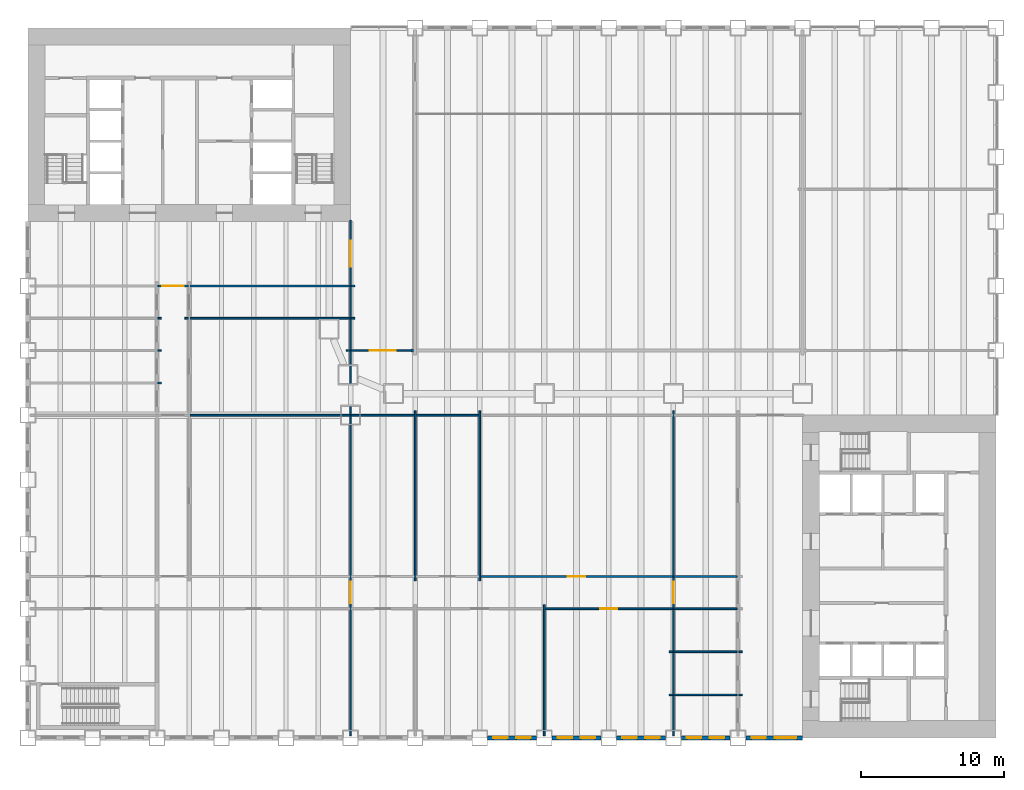
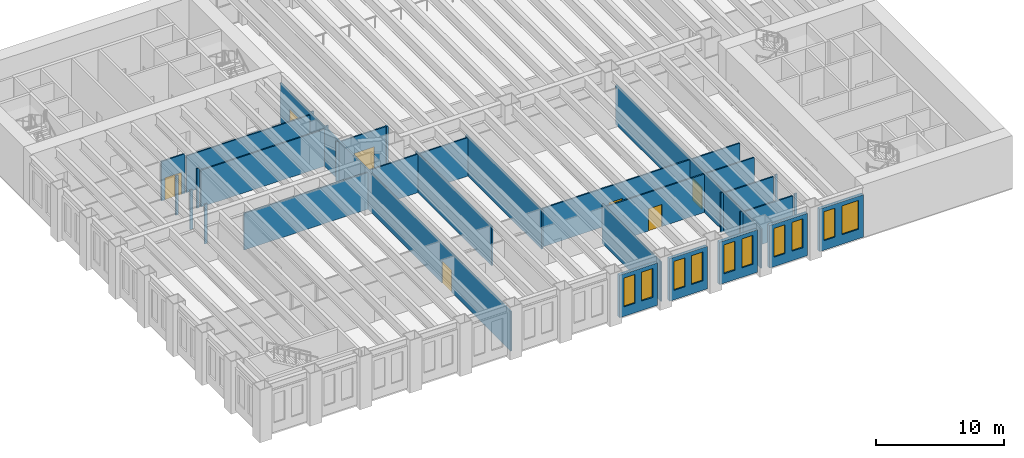
# One storey, part 9 of 19: 35 walls, 10 windows, 7 doors, 17 openings.
"""IFC4 building model written with IfcOpenShell, lengths in metres."""

from ifc_helpers import new_model, si_unit, direction, frame, frame_2d, origin, place, context, subcontext, project, spatial, rectangle, extrude, material, layer, layer_set, type_object, element, fill, save


model = new_model("IFC4")

# Units and contexts
model_context = context("Model", 3, precision=1e-05, world=origin(), true_north=direction((0.0, 1.0)))
body_context = subcontext(model_context, "Body", "Model", "MODEL_VIEW")
ifc_project = project(units=[si_unit("LENGTHUNIT", "METRE"), si_unit("AREAUNIT", "SQUARE_METRE"), si_unit("VOLUMEUNIT", "CUBIC_METRE"), si_unit("PLANEANGLEUNIT", "RADIAN"), si_unit("MASSUNIT", "GRAM", prefix="KILO")], contexts=[model_context])

# Site, building, storey
site_placement = place(None, origin())
site = spatial("IfcSite", under=ifc_project, at=site_placement, CompositionType="ELEMENT")
building_placement = place(site_placement, origin())
building = spatial("IfcBuilding", under=site, at=building_placement, Name="Sennacour Bend Tower", CompositionType="ELEMENT")
storey_placement = place(building_placement, frame((0.0, 0.0, 14.0)))
storey = spatial("IfcBuildingStorey", under=building, at=storey_placement, Name="L02", CompositionType="ELEMENT", Elevation=14.0)

# Walls
ifc_material_1 = material(Name="Plasterboard partition on steel studs", Category="steel")
ifc_layer_1 = layer(ifc_material_1, 0.1201171875, Name="Plasterboard partition on steel studs", Category="steel")
ifc_layer_set_1 = layer_set([ifc_layer_1], Name="Plasterboard partition on steel studs")
wall_type_1 = type_object("IfcWallType", Name="Partition 120", PredefinedType="PARTITIONING", material=ifc_layer_set_1)
for number, where, z_axis, x_axis, name in (
    (1, (27.0, 10.949951171875, 0.0), (0.0, 0.0, 1.0), (0.0, 1.0, 0.0), "P-L02-W022a"),
    (2, (31.5, 10.949951171875, 0.0), (0.0, 0.0, 1.0), (0.0, 1.0, 0.0), "P-L02-W024a"),
):
    element("IfcWall", number, at=place(storey_placement, frame(where, z_axis=z_axis, x_axis=x_axis)), inside=storey, type_object=wall_type_1, Name=name, PredefinedType="PARTITIONING", context=body_context, shape_type="SweptSolid", body=[
        extrude(rectangle(XDim=11.85009765625, YDim=0.1201171875, at=frame_2d((5.925048828125, 0.0))), origin(), (0.0, 0.0, 1.0), 3.7587890625),
    ])
wall_1_placement = place(storey_placement, frame((36.0, 0.14990234375, 0.0), z_axis=(0.0, 0.0, 1.0), x_axis=(0.0, 1.0, 0.0)))
element("IfcWall", 3, at=wall_1_placement, inside=storey, type_object=wall_type_1, Name="P-L02-W025a", PredefinedType="PARTITIONING", context=body_context, shape_type="SweptSolid", body=[
    extrude(rectangle(XDim=9.150146484375, YDim=0.1201171875, at=frame_2d((4.5751953125, 0.0))), origin(), (0.0, 0.0, 1.0), 3.7587890625),
])
wall_2_placement = place(storey_placement, frame((44.699951171875, 3.0, 0.0), z_axis=(0.0, 0.0, 1.0), x_axis=(1.0, 0.0, 0.0)))
element("IfcWall", 4, at=wall_2_placement, inside=storey, type_object=wall_type_1, Name="P-L02-W043aa", PredefinedType="PARTITIONING", context=body_context, shape_type="SweptSolid", body=[
    extrude(rectangle(XDim=0.239990234375, YDim=0.1201171875, at=frame_2d((0.1201171875, 0.0))), origin(), (0.0, 0.0, 1.0), 3.7587890625),
])
wall_3_placement = place(storey_placement, frame((45.06005859375, 3.0, 0.0), z_axis=(0.0, 0.0, 1.0), x_axis=(1.0, 0.0, 0.0)))
element("IfcWall", 5, at=wall_3_placement, inside=storey, type_object=wall_type_1, Name="P-L02-W043ab", PredefinedType="PARTITIONING", context=body_context, shape_type="SweptSolid", body=[
    extrude(rectangle(XDim=4.3798828125, YDim=0.1201171875, at=frame_2d((2.18994140625, 0.0))), origin(), (0.0, 0.0, 1.0), 3.66015625),
])
for number, where, z_axis, x_axis, name in (
    (6, (49.56005859375, 3.0, 0.0), (0.0, 0.0, 1.0), (1.0, 0.0, 0.0), "P-L02-W043ac"),
    (7, (44.699951171875, 6.0, 0.0), (0.0, 0.0, 1.0), (1.0, 0.0, 0.0), "P-L02-W048aa"),
):
    element("IfcWall", number, at=place(storey_placement, frame(where, z_axis=z_axis, x_axis=x_axis)), inside=storey, type_object=wall_type_1, Name=name, PredefinedType="PARTITIONING", context=body_context, shape_type="SweptSolid", body=[
        extrude(rectangle(XDim=0.239990234375, YDim=0.1201171875, at=frame_2d((0.1201171875, 0.0))), origin(), (0.0, 0.0, 1.0), 3.7587890625),
    ])
wall_4_placement = place(storey_placement, frame((45.06005859375, 6.0, 0.0), z_axis=(0.0, 0.0, 1.0), x_axis=(1.0, 0.0, 0.0)))
element("IfcWall", 8, at=wall_4_placement, inside=storey, type_object=wall_type_1, Name="P-L02-W048ab", PredefinedType="PARTITIONING", context=body_context, shape_type="SweptSolid", body=[
    extrude(rectangle(XDim=4.3798828125, YDim=0.1201171875, at=frame_2d((2.18994140625, 0.0))), origin(), (0.0, 0.0, 1.0), 3.66015625),
])
wall_5_placement = place(storey_placement, frame((49.56005859375, 6.0, 0.0), z_axis=(0.0, 0.0, 1.0), x_axis=(1.0, 0.0, 0.0)))
element("IfcWall", 9, at=wall_5_placement, inside=storey, type_object=wall_type_1, Name="P-L02-W048ac", PredefinedType="PARTITIONING", context=body_context, shape_type="SweptSolid", body=[
    extrude(rectangle(XDim=0.239990234375, YDim=0.1201171875, at=frame_2d((0.1201171875, 0.0))), origin(), (0.0, 0.0, 1.0), 3.7587890625),
])

# Wall, opening, door
wall_6_placement = place(storey_placement, frame((36.06005859375, 9.0, 0.0), z_axis=(0.0, 0.0, 1.0), x_axis=(1.0, 0.0, 0.0)))
wall_6 = element("IfcWall", 10, at=wall_6_placement, inside=storey, type_object=wall_type_1, Name="P-L02-W050ae", PredefinedType="PARTITIONING", context=body_context, shape_type="SweptSolid", body=[
    extrude(rectangle(XDim=8.8798828125, YDim=0.1201171875, at=frame_2d((4.43994140625, 0.0))), origin(), (0.0, 0.0, 1.0), 3.66015625),
])
opening_1_placement = place(wall_6_placement, frame((3.83984375, 0.0, 0.0)))
opening_1 = element("IfcOpeningElement", 11, at=opening_1_placement, cuts=wall_6, Name="Opening OD", PredefinedType="OPENING", context=body_context, shape_type="SweptSolid", body=[
    extrude(rectangle(XDim=1.199951171875, YDim=2.10009765625, at=frame_2d((0.60009765625, 1.050048828125))), frame((0.0, 0.070068359375, 0.0), z_axis=(0.0, -1.0, 0.0), x_axis=(1.0, 0.0, 0.0)), (0.0, 0.0, 1.0), 0.14013671875),
])
ifc_material_2 = material(Name="Timber", Category="wood")
door_type_1 = type_object("IfcDoorType", Name="DR-OFFICE-1200", OperationType="NOTDEFINED", PredefinedType="DOOR", material=ifc_material_2)
door_1_placement = place(opening_1_placement, origin())
door_1 = element("IfcDoor", 12, at=door_1_placement, inside=storey, type_object=door_type_1, Name="Door", OperationType="SINGLE_SWING_LEFT", OverallHeight=2.10009765625, OverallWidth=1.199951171875, PredefinedType="DOOR", context=body_context, shape_type="SweptSolid", body=[
    extrude(rectangle(XDim=1.199951171875, YDim=2.10009765625, at=frame_2d((0.60009765625, 1.050048828125))), frame((0.0, 0.02490234375, 0.0), z_axis=(0.0, -1.0, 0.0), x_axis=(1.0, 0.0, 0.0)), (0.0, 0.0, 1.0), 0.050048828125),
])
fill(opening_1, door_1)

# Wall
wall_7_placement = place(storey_placement, frame((45.06005859375, 9.0, 0.0), z_axis=(0.0, 0.0, 1.0), x_axis=(1.0, 0.0, 0.0)))
element("IfcWall", 13, at=wall_7_placement, inside=storey, type_object=wall_type_1, Name="P-L02-W050af", PredefinedType="PARTITIONING", context=body_context, shape_type="SweptSolid", body=[
    extrude(rectangle(XDim=4.3798828125, YDim=0.1201171875, at=frame_2d((2.18994140625, 0.0))), origin(), (0.0, 0.0, 1.0), 3.66015625),
])

# Wall, opening, door
wall_8_placement = place(storey_placement, frame((31.56005859375, 11.25, 0.0), z_axis=(0.0, 0.0, 1.0), x_axis=(1.0, 0.0, 0.0)))
wall_8 = element("IfcWall", 14, at=wall_8_placement, inside=storey, type_object=wall_type_1, Name="P-L02-W052af", PredefinedType="PARTITIONING", context=body_context, shape_type="SweptSolid", body=[
    extrude(rectangle(XDim=13.3798828125, YDim=0.1201171875, at=frame_2d((6.68994140625, 0.0))), origin(), (0.0, 0.0, 1.0), 3.66015625),
])
opening_2_placement = place(wall_8_placement, frame((6.08984375, 0.0, 0.0)))
opening_2 = element("IfcOpeningElement", 15, at=opening_2_placement, cuts=wall_8, Name="Opening OD", PredefinedType="OPENING", context=body_context, shape_type="SweptSolid", body=[
    extrude(rectangle(XDim=1.199951171875, YDim=2.10009765625, at=frame_2d((0.60009765625, 1.050048828125))), frame((0.0, 0.070068359375, 0.0), z_axis=(0.0, -1.0, 0.0), x_axis=(1.0, 0.0, 0.0)), (0.0, 0.0, 1.0), 0.14013671875),
])
door_2_placement = place(opening_2_placement, origin())
door_2 = element("IfcDoor", 16, at=door_2_placement, inside=storey, type_object=door_type_1, Name="Door", OperationType="SINGLE_SWING_LEFT", OverallHeight=2.10009765625, OverallWidth=1.199951171875, PredefinedType="DOOR", context=body_context, shape_type="SweptSolid", body=[
    extrude(rectangle(XDim=1.199951171875, YDim=2.10009765625, at=frame_2d((0.60009765625, 1.050048828125))), frame((0.0, 0.02490234375, 0.0), z_axis=(0.0, -1.0, 0.0), x_axis=(1.0, 0.0, 0.0)), (0.0, 0.0, 1.0), 0.050048828125),
])
fill(opening_2, door_2)

# Walls
wall_9_placement = place(storey_placement, frame((45.06005859375, 11.25, 0.0), z_axis=(0.0, 0.0, 1.0), x_axis=(1.0, 0.0, 0.0)))
element("IfcWall", 17, at=wall_9_placement, inside=storey, type_object=wall_type_1, Name="P-L02-W052ag", PredefinedType="PARTITIONING", context=body_context, shape_type="SweptSolid", body=[
    extrude(rectangle(XDim=4.3798828125, YDim=0.1201171875, at=frame_2d((2.18994140625, 0.0))), origin(), (0.0, 0.0, 1.0), 3.66015625),
])
wall_10_placement = place(storey_placement, frame((11.31005859375, 22.5, 0.0), z_axis=(0.0, 0.0, 1.0), x_axis=(1.0, 0.0, 0.0)))
element("IfcWall", 18, at=wall_10_placement, inside=storey, type_object=wall_type_1, Name="P-L02-W061ac", PredefinedType="PARTITIONING", context=body_context, shape_type="SweptSolid", body=[
    extrude(rectangle(XDim=11.1298828125, YDim=0.1201171875, at=frame_2d((5.56494140625, 0.0))), origin(), (0.0, 0.0, 1.0), 3.5),
])
for number, where, z_axis, x_axis, name in (
    (19, (22.56005859375, 22.5, 0.0), (0.0, 0.0, 1.0), (1.0, 0.0, 0.0), "P-L02-W061ad"),
    (20, (27.06005859375, 22.5, 0.0), (0.0, 0.0, 1.0), (1.0, 0.0, 0.0), "P-L02-W061ae"),
):
    element("IfcWall", number, at=place(storey_placement, frame(where, z_axis=z_axis, x_axis=x_axis)), inside=storey, type_object=wall_type_1, Name=name, PredefinedType="PARTITIONING", context=body_context, shape_type="SweptSolid", body=[
        extrude(rectangle(XDim=4.3798828125, YDim=0.1201171875, at=frame_2d((2.18994140625, 0.0))), origin(), (0.0, 0.0, 1.0), 3.66015625),
    ])
for number, where, z_axis, x_axis, name in (
    (21, (9.06005859375, 24.75, 0.0), (0.0, 0.0, 1.0), (1.0, 0.0, 0.0), "P-L02-W062ab"),
    (22, (9.06005859375, 27.0, 0.0), (0.0, 0.0, 1.0), (1.0, 0.0, 0.0), "P-L02-W063ab"),
    (23, (22.199951171875, 27.0, 0.0), (0.0, 0.0, 1.0), (1.0, 0.0, 0.0), "P-L02-W064aa"),
    (24, (9.06005859375, 29.25, 0.0), (0.0, 0.0, 1.0), (1.0, 0.0, 0.0), "P-L02-W067ab"),
    (25, (10.949951171875, 29.25, 0.0), (0.0, 0.0, 1.0), (1.0, 0.0, 0.0), "P-L02-W068aa"),
):
    element("IfcWall", number, at=place(storey_placement, frame(where, z_axis=z_axis, x_axis=x_axis)), inside=storey, type_object=wall_type_1, Name=name, PredefinedType="PARTITIONING", context=body_context, shape_type="SweptSolid", body=[
        extrude(rectangle(XDim=0.239990234375, YDim=0.1201171875, at=frame_2d((0.1201171875, 0.0))), origin(), (0.0, 0.0, 1.0), 3.7587890625),
    ])
wall_11_placement = place(storey_placement, frame((11.31005859375, 29.25, 0.0), z_axis=(0.0, 0.0, 1.0), x_axis=(1.0, 0.0, 0.0)))
element("IfcWall", 26, at=wall_11_placement, inside=storey, type_object=wall_type_1, Name="P-L02-W068ab", PredefinedType="PARTITIONING", context=body_context, shape_type="SweptSolid", body=[
    extrude(rectangle(XDim=11.1298828125, YDim=0.1201171875, at=frame_2d((5.56494140625, 0.0))), origin(), (0.0, 0.0, 1.0), 3.5),
])
wall_12_placement = place(storey_placement, frame((22.56005859375, 29.25, 0.0), z_axis=(0.0, 0.0, 1.0), x_axis=(1.0, 0.0, 0.0)))
element("IfcWall", 27, at=wall_12_placement, inside=storey, type_object=wall_type_1, Name="P-L02-W068ac", PredefinedType="PARTITIONING", context=body_context, shape_type="SweptSolid", body=[
    extrude(rectangle(XDim=0.239990234375, YDim=0.1201171875, at=frame_2d((0.1201171875, 0.0))), origin(), (0.0, 0.0, 1.0), 3.7587890625),
])
wall_13_placement = place(storey_placement, frame((11.31005859375, 31.5, 0.0), z_axis=(0.0, 0.0, 1.0), x_axis=(1.0, 0.0, 0.0)))
element("IfcWall", 28, at=wall_13_placement, inside=storey, type_object=wall_type_1, Name="P-L02-W069ac", PredefinedType="PARTITIONING", context=body_context, shape_type="SweptSolid", body=[
    extrude(rectangle(XDim=11.1298828125, YDim=0.1201171875, at=frame_2d((5.56494140625, 0.0))), origin(), (0.0, 0.0, 1.0), 3.5),
])
wall_14_placement = place(storey_placement, frame((22.56005859375, 31.5, 0.0), z_axis=(0.0, 0.0, 1.0), x_axis=(1.0, 0.0, 0.0)))
element("IfcWall", 29, at=wall_14_placement, inside=storey, type_object=wall_type_1, Name="P-L02-W069ad", PredefinedType="PARTITIONING", context=body_context, shape_type="SweptSolid", body=[
    extrude(rectangle(XDim=0.239990234375, YDim=0.1201171875, at=frame_2d((0.1201171875, 0.0))), origin(), (0.0, 0.0, 1.0), 3.7587890625),
])

# Wall, opening, door
ifc_layer_2 = layer(ifc_material_1, 0.1201171875, Name="Plasterboard partition on steel studs", Category="steel")
ifc_layer_set_2 = layer_set([ifc_layer_2], Name="Plasterboard partition on steel studs")
wall_type_2 = type_object("IfcWallType", Name="Partition 120 EI 30", PredefinedType="PARTITIONING", material=ifc_layer_set_2)
wall_15_placement = place(storey_placement, frame((45.0, 0.14990234375, 0.0), z_axis=(0.0, 0.0, 1.0), x_axis=(0.0, 1.0, 0.0)))
wall_15 = element("IfcWall", 30, at=wall_15_placement, inside=storey, type_object=wall_type_2, Name="P-L02-W026a", PredefinedType="PARTITIONING", context=body_context, shape_type="SweptSolid", body=[
    extrude(rectangle(XDim=22.650146484375, YDim=0.1201171875, at=frame_2d((11.3251953125, 0.0))), origin(), (0.0, 0.0, 1.0), 3.7587890625),
])
opening_3_placement = place(wall_15_placement, frame((9.22509765625, 0.0, 0.0)))
opening_3 = element("IfcOpeningElement", 31, at=opening_3_placement, cuts=wall_15, Name="Opening KD", PredefinedType="OPENING", context=body_context, shape_type="SweptSolid", body=[
    extrude(rectangle(XDim=1.5, YDim=2.10009765625, at=frame_2d((0.75, 1.050048828125))), frame((0.0, 0.070068359375, 0.0), z_axis=(0.0, -1.0, 0.0), x_axis=(1.0, 0.0, 0.0)), (0.0, 0.0, 1.0), 0.14013671875),
])
ifc_material_3 = material(Name="Painted steel", Category="steel")
door_type_2 = type_object("IfcDoorType", Name="DR-CORRIDOR-1500", OperationType="NOTDEFINED", PredefinedType="DOOR", material=ifc_material_3)
door_3_placement = place(opening_3_placement, origin())
door_3 = element("IfcDoor", 32, at=door_3_placement, inside=storey, type_object=door_type_2, Name="Door", OperationType="SINGLE_SWING_LEFT", OverallHeight=2.10009765625, OverallWidth=1.5, PredefinedType="DOOR", context=body_context, shape_type="SweptSolid", body=[
    extrude(rectangle(XDim=1.5, YDim=2.10009765625, at=frame_2d((0.75, 1.050048828125))), frame((0.0, 0.02490234375, 0.0), z_axis=(0.0, -1.0, 0.0), x_axis=(1.0, 0.0, 0.0)), (0.0, 0.0, 1.0), 0.050048828125),
])
fill(opening_3, door_3)

wall_16_placement = place(storey_placement, frame((9.06005859375, 31.5, 0.0), z_axis=(0.0, 0.0, 1.0), x_axis=(1.0, 0.0, 0.0)))
wall_16 = element("IfcWall", 33, at=wall_16_placement, inside=storey, type_object=wall_type_2, Name="P-L02-W069ab", PredefinedType="PARTITIONING", context=body_context, shape_type="SweptSolid", body=[
    extrude(rectangle(XDim=2.1298828125, YDim=0.1201171875, at=frame_2d((1.06494140625, 0.0))), origin(), (0.0, 0.0, 1.0), 3.7587890625),
])
opening_4_placement = place(wall_16_placement, frame((0.31494140625, 0.0, 0.0)))
opening_4 = element("IfcOpeningElement", 34, at=opening_4_placement, cuts=wall_16, Name="Opening KD", PredefinedType="OPENING", context=body_context, shape_type="SweptSolid", body=[
    extrude(rectangle(XDim=1.5, YDim=2.10009765625, at=frame_2d((0.75, 1.050048828125))), frame((0.0, 0.070068359375, 0.0), z_axis=(0.0, -1.0, 0.0), x_axis=(1.0, 0.0, 0.0)), (0.0, 0.0, 1.0), 0.14013671875),
])
door_4_placement = place(opening_4_placement, origin())
door_4 = element("IfcDoor", 35, at=door_4_placement, inside=storey, type_object=door_type_2, Name="Door", OperationType="SINGLE_SWING_LEFT", OverallHeight=2.10009765625, OverallWidth=1.5, PredefinedType="DOOR", context=body_context, shape_type="SweptSolid", body=[
    extrude(rectangle(XDim=1.5, YDim=2.10009765625, at=frame_2d((0.75, 1.050048828125))), frame((0.0, 0.02490234375, 0.0), z_axis=(0.0, -1.0, 0.0), x_axis=(1.0, 0.0, 0.0)), (0.0, 0.0, 1.0), 0.050048828125),
])
fill(opening_4, door_4)

# Wall, openings, doors
ifc_layer_3 = layer(ifc_material_1, 0.1201171875, Name="Plasterboard partition on steel studs", Category="steel")
ifc_layer_set_3 = layer_set([ifc_layer_3], Name="Plasterboard partition on steel studs")
wall_type_3 = type_object("IfcWallType", Name="Partition 120 EI 60", PredefinedType="PARTITIONING", material=ifc_layer_set_3)
wall_17_placement = place(storey_placement, frame((22.5, 0.14990234375, 0.0), z_axis=(0.0, 0.0, 1.0), x_axis=(0.0, 1.0, 0.0)))
wall_17 = element("IfcWall", 36, at=wall_17_placement, inside=storey, type_object=wall_type_3, Name="P-L02-W020a", PredefinedType="PARTITIONING", context=body_context, shape_type="SweptSolid", body=[
    extrude(rectangle(XDim=35.9501953125, YDim=0.1201171875, at=frame_2d((17.97509765625, 0.0))), origin(), (0.0, 0.0, 1.0), 3.7587890625),
])
opening_5_placement = place(wall_17_placement, frame((9.22509765625, 0.0, 0.0)))
opening_5 = element("IfcOpeningElement", 37, at=opening_5_placement, cuts=wall_17, Name="Opening KD", PredefinedType="OPENING", context=body_context, shape_type="SweptSolid", body=[
    extrude(rectangle(XDim=1.5, YDim=2.10009765625, at=frame_2d((0.75, 1.050048828125))), frame((0.0, 0.070068359375, 0.0), z_axis=(0.0, -1.0, 0.0), x_axis=(1.0, 0.0, 0.0)), (0.0, 0.0, 1.0), 0.14013671875),
])
opening_6_placement = place(wall_17_placement, frame((32.7001953125, 0.0, 0.0)))
opening_6 = element("IfcOpeningElement", 38, at=opening_6_placement, cuts=wall_17, Name="Opening CD", PredefinedType="OPENING", context=body_context, shape_type="SweptSolid", body=[
    extrude(rectangle(XDim=1.800048828125, YDim=2.10009765625, at=frame_2d((0.89990234375, 1.050048828125))), frame((0.0, 0.070068359375, 0.0), z_axis=(0.0, -1.0, 0.0), x_axis=(1.0, 0.0, 0.0)), (0.0, 0.0, 1.0), 0.14013671875),
])
door_5_placement = place(opening_5_placement, origin())
door_5 = element("IfcDoor", 39, at=door_5_placement, inside=storey, type_object=door_type_2, Name="Door", OperationType="SINGLE_SWING_LEFT", OverallHeight=2.10009765625, OverallWidth=1.5, PredefinedType="DOOR", context=body_context, shape_type="SweptSolid", body=[
    extrude(rectangle(XDim=1.5, YDim=2.10009765625, at=frame_2d((0.75, 1.050048828125))), frame((0.0, 0.02490234375, 0.0), z_axis=(0.0, -1.0, 0.0), x_axis=(1.0, 0.0, 0.0)), (0.0, 0.0, 1.0), 0.050048828125),
])
fill(opening_5, door_5)
door_type_3 = type_object("IfcDoorType", Name="DR-LOBBY-1800", OperationType="NOTDEFINED", PredefinedType="DOOR", material=ifc_material_3)
door_6_placement = place(opening_6_placement, origin())
door_6 = element("IfcDoor", 40, at=door_6_placement, inside=storey, type_object=door_type_3, Name="Door", OperationType="DOUBLE_DOOR_SINGLE_SWING", OverallHeight=2.10009765625, OverallWidth=1.800048828125, PredefinedType="DOOR", context=body_context, shape_type="SweptSolid", body=[
    extrude(rectangle(XDim=1.800048828125, YDim=2.10009765625, at=frame_2d((0.89990234375, 1.050048828125))), frame((0.0, 0.02490234375, 0.0), z_axis=(0.0, -1.0, 0.0), x_axis=(1.0, 0.0, 0.0)), (0.0, 0.0, 1.0), 0.050048828125),
])
fill(opening_6, door_6)

# Wall, opening, door
wall_18_placement = place(storey_placement, frame((22.56005859375, 27.0, 0.0), z_axis=(0.0, 0.0, 1.0), x_axis=(1.0, 0.0, 0.0)))
wall_18 = element("IfcWall", 41, at=wall_18_placement, inside=storey, type_object=wall_type_3, Name="P-L02-W064ab", PredefinedType="PARTITIONING", context=body_context, shape_type="SweptSolid", body=[
    extrude(rectangle(XDim=4.139892578125, YDim=0.1201171875, at=frame_2d((2.06982421875, 0.0))), origin(), (0.0, 0.0, 1.0), 3.66015625),
])
opening_7_placement = place(wall_18_placement, frame((1.27001953125, 0.0, 0.0)))
opening_7 = element("IfcOpeningElement", 42, at=opening_7_placement, cuts=wall_18, Name="Opening CD", PredefinedType="OPENING", context=body_context, shape_type="SweptSolid", body=[
    extrude(rectangle(XDim=1.800048828125, YDim=2.10009765625, at=frame_2d((0.89990234375, 1.050048828125))), frame((0.0, 0.070068359375, 0.0), z_axis=(0.0, -1.0, 0.0), x_axis=(1.0, 0.0, 0.0)), (0.0, 0.0, 1.0), 0.14013671875),
])
door_7_placement = place(opening_7_placement, origin())
door_7 = element("IfcDoor", 43, at=door_7_placement, inside=storey, type_object=door_type_3, Name="Door", OperationType="DOUBLE_DOOR_SINGLE_SWING", OverallHeight=2.10009765625, OverallWidth=1.800048828125, PredefinedType="DOOR", context=body_context, shape_type="SweptSolid", body=[
    extrude(rectangle(XDim=1.800048828125, YDim=2.10009765625, at=frame_2d((0.89990234375, 1.050048828125))), frame((0.0, 0.02490234375, 0.0), z_axis=(0.0, -1.0, 0.0), x_axis=(1.0, 0.0, 0.0)), (0.0, 0.0, 1.0), 0.050048828125),
])
fill(opening_7, door_7)

# Wall
ifc_material_4 = material(Name="Fire-rated plasterboard partition on steel studs", Category="steel")
ifc_layer_4 = layer(ifc_material_4, 0.199951171875, Name="Fire-rated plasterboard partition on steel studs", Category="steel")
ifc_layer_set_4 = layer_set([ifc_layer_4], Name="Fire-rated plasterboard partition on steel studs")
wall_type_4 = type_object("IfcWallType", Name="Rated partition 200", PredefinedType="PARTITIONING", material=ifc_layer_set_4)
wall_19_placement = place(storey_placement, frame((26.699951171875, 27.0, 0.0), z_axis=(0.0, 0.0, 1.0), x_axis=(1.0, 0.0, 0.0)))
element("IfcWall", 44, at=wall_19_placement, inside=storey, type_object=wall_type_4, Name="P-L02-W065aa", PredefinedType="PARTITIONING", context=body_context, shape_type="SweptSolid", body=[
    extrude(rectangle(XDim=0.199951171875, YDim=0.199951171875, at=frame_2d((0.10009765625, 0.0))), origin(), (0.0, 0.0, 1.0), 3.66015625),
])

# Wall, openings, windows
ifc_material_5 = material(Name="Warm limestone cladding", Category="masonry")
ifc_layer_5 = layer(ifc_material_5, 0.050048828125, Name="Warm limestone cladding", Category="masonry")
ifc_material_6 = material(Name="Precast concrete C40/50", Category="concrete")
ifc_layer_6 = layer(ifc_material_6, 0.25, Name="Precast concrete C40/50", Category="concrete")
ifc_layer_set_5 = layer_set([ifc_layer_5, ifc_layer_6], Name="Precast concrete C40/50 with limestone cladding")
wall_type_5 = type_object("IfcWallType", Name="STONE-CLAD PRECAST SPANDREL 300", PredefinedType="STANDARD", material=ifc_layer_set_5)
wall_20_placement = place(storey_placement, frame((32.050048828125, 0.0, 0.0), z_axis=(0.0, 0.0, 1.0), x_axis=(1.0, 0.0, 0.0)))
wall_20 = element("IfcWall", 45, at=wall_20_placement, inside=storey, type_object=wall_type_5, Name="Stone spandrel and pier wall L02 03.07", PredefinedType="STANDARD", context=body_context, shape_type="SweptSolid", body=[
    extrude(rectangle(XDim=3.39990234375, YDim=0.300048828125, at=frame_2d((1.699951171875, 0.0))), origin(), (0.0, 0.0, 1.0), 4.035888671875),
])
opening_8_placement = place(wall_20_placement, frame((0.39990234375, 0.0, 0.89990234375)))
opening_8 = element("IfcOpeningElement", 46, at=opening_8_placement, cuts=wall_20, Name="Opening W3", PredefinedType="OPENING", context=body_context, shape_type="SweptSolid", body=[
    extrude(rectangle(XDim=1.0, YDim=2.75, at=frame_2d((0.5, 1.375))), frame((0.0, 0.16015625, 0.0), z_axis=(0.0, -1.0, 0.0), x_axis=(1.0, 0.0, 0.0)), (0.0, 0.0, 1.0), 0.320068359375),
])
opening_9_placement = place(wall_20_placement, frame((2.0, 0.0, 0.89990234375)))
opening_9 = element("IfcOpeningElement", 47, at=opening_9_placement, cuts=wall_20, Name="Opening W3", PredefinedType="OPENING", context=body_context, shape_type="SweptSolid", body=[
    extrude(rectangle(XDim=1.0, YDim=2.75, at=frame_2d((0.5, 1.375))), frame((0.0, 0.16015625, 0.0), z_axis=(0.0, -1.0, 0.0), x_axis=(1.0, 0.0, 0.0)), (0.0, 0.0, 1.0), 0.320068359375),
])
ifc_material_7 = material(Name="Clear low-emissivity glass", Category="glass")
window_type_1 = type_object("IfcWindowType", Name="WIN-RIBBON-1000x2750", PartitioningType="SINGLE_PANEL", PredefinedType="WINDOW", material=ifc_material_7)
window_1_placement = place(opening_8_placement, origin())
window_1 = element("IfcWindow", 48, at=window_1_placement, inside=storey, type_object=window_type_1, Name="Ribbon window L02 03.07.0", OverallHeight=2.75, OverallWidth=1.0, PartitioningType="SINGLE_PANEL", PredefinedType="WINDOW", context=body_context, shape_type="SweptSolid", body=[
    extrude(rectangle(XDim=1.0, YDim=2.75, at=frame_2d((0.5, 1.375))), frame((0.0, 0.030029296875, 0.0), z_axis=(0.0, -1.0, 0.0), x_axis=(1.0, 0.0, 0.0)), (0.0, 0.0, 1.0), 0.06005859375),
])
fill(opening_8, window_1)
window_2_placement = place(opening_9_placement, origin())
window_2 = element("IfcWindow", 49, at=window_2_placement, inside=storey, type_object=window_type_1, Name="Ribbon window L02 03.07.1", OverallHeight=2.75, OverallWidth=1.0, PartitioningType="SINGLE_PANEL", PredefinedType="WINDOW", context=body_context, shape_type="SweptSolid", body=[
    extrude(rectangle(XDim=1.0, YDim=2.75, at=frame_2d((0.5, 1.375))), frame((0.0, 0.030029296875, 0.0), z_axis=(0.0, -1.0, 0.0), x_axis=(1.0, 0.0, 0.0)), (0.0, 0.0, 1.0), 0.06005859375),
])
fill(opening_9, window_2)

wall_21_placement = place(storey_placement, frame((36.550048828125, 0.0, 0.0), z_axis=(0.0, 0.0, 1.0), x_axis=(1.0, 0.0, 0.0)))
wall_21 = element("IfcWall", 50, at=wall_21_placement, inside=storey, type_object=wall_type_5, Name="Stone spandrel and pier wall L02 03.08", PredefinedType="STANDARD", context=body_context, shape_type="SweptSolid", body=[
    extrude(rectangle(XDim=3.39990234375, YDim=0.300048828125, at=frame_2d((1.699951171875, 0.0))), origin(), (0.0, 0.0, 1.0), 4.035888671875),
])
opening_10_placement = place(wall_21_placement, frame((0.39990234375, 0.0, 0.89990234375)))
opening_10 = element("IfcOpeningElement", 51, at=opening_10_placement, cuts=wall_21, Name="Opening W3", PredefinedType="OPENING", context=body_context, shape_type="SweptSolid", body=[
    extrude(rectangle(XDim=1.0, YDim=2.75, at=frame_2d((0.5, 1.375))), frame((0.0, 0.16015625, 0.0), z_axis=(0.0, -1.0, 0.0), x_axis=(1.0, 0.0, 0.0)), (0.0, 0.0, 1.0), 0.320068359375),
])
opening_11_placement = place(wall_21_placement, frame((2.0, 0.0, 0.89990234375)))
opening_11 = element("IfcOpeningElement", 52, at=opening_11_placement, cuts=wall_21, Name="Opening W3", PredefinedType="OPENING", context=body_context, shape_type="SweptSolid", body=[
    extrude(rectangle(XDim=1.0, YDim=2.75, at=frame_2d((0.5, 1.375))), frame((0.0, 0.16015625, 0.0), z_axis=(0.0, -1.0, 0.0), x_axis=(1.0, 0.0, 0.0)), (0.0, 0.0, 1.0), 0.320068359375),
])
window_3_placement = place(opening_10_placement, origin())
window_3 = element("IfcWindow", 53, at=window_3_placement, inside=storey, type_object=window_type_1, Name="Ribbon window L02 03.08.0", OverallHeight=2.75, OverallWidth=1.0, PartitioningType="SINGLE_PANEL", PredefinedType="WINDOW", context=body_context, shape_type="SweptSolid", body=[
    extrude(rectangle(XDim=1.0, YDim=2.75, at=frame_2d((0.5, 1.375))), frame((0.0, 0.030029296875, 0.0), z_axis=(0.0, -1.0, 0.0), x_axis=(1.0, 0.0, 0.0)), (0.0, 0.0, 1.0), 0.06005859375),
])
fill(opening_10, window_3)
window_4_placement = place(opening_11_placement, origin())
window_4 = element("IfcWindow", 54, at=window_4_placement, inside=storey, type_object=window_type_1, Name="Ribbon window L02 03.08.1", OverallHeight=2.75, OverallWidth=1.0, PartitioningType="SINGLE_PANEL", PredefinedType="WINDOW", context=body_context, shape_type="SweptSolid", body=[
    extrude(rectangle(XDim=1.0, YDim=2.75, at=frame_2d((0.5, 1.375))), frame((0.0, 0.030029296875, 0.0), z_axis=(0.0, -1.0, 0.0), x_axis=(1.0, 0.0, 0.0)), (0.0, 0.0, 1.0), 0.06005859375),
])
fill(opening_11, window_4)

wall_22_placement = place(storey_placement, frame((41.050048828125, 0.0, 0.0), z_axis=(0.0, 0.0, 1.0), x_axis=(1.0, 0.0, 0.0)))
wall_22 = element("IfcWall", 55, at=wall_22_placement, inside=storey, type_object=wall_type_5, Name="Stone spandrel and pier wall L02 03.09", PredefinedType="STANDARD", context=body_context, shape_type="SweptSolid", body=[
    extrude(rectangle(XDim=3.39990234375, YDim=0.300048828125, at=frame_2d((1.699951171875, 0.0))), origin(), (0.0, 0.0, 1.0), 4.035888671875),
])
opening_12_placement = place(wall_22_placement, frame((0.39990234375, 0.0, 0.89990234375)))
opening_12 = element("IfcOpeningElement", 56, at=opening_12_placement, cuts=wall_22, Name="Opening W3", PredefinedType="OPENING", context=body_context, shape_type="SweptSolid", body=[
    extrude(rectangle(XDim=1.0, YDim=2.75, at=frame_2d((0.5, 1.375))), frame((0.0, 0.16015625, 0.0), z_axis=(0.0, -1.0, 0.0), x_axis=(1.0, 0.0, 0.0)), (0.0, 0.0, 1.0), 0.320068359375),
])
opening_13_placement = place(wall_22_placement, frame((2.0, 0.0, 0.89990234375)))
opening_13 = element("IfcOpeningElement", 57, at=opening_13_placement, cuts=wall_22, Name="Opening W3", PredefinedType="OPENING", context=body_context, shape_type="SweptSolid", body=[
    extrude(rectangle(XDim=1.0, YDim=2.75, at=frame_2d((0.5, 1.375))), frame((0.0, 0.16015625, 0.0), z_axis=(0.0, -1.0, 0.0), x_axis=(1.0, 0.0, 0.0)), (0.0, 0.0, 1.0), 0.320068359375),
])
window_5_placement = place(opening_12_placement, origin())
window_5 = element("IfcWindow", 58, at=window_5_placement, inside=storey, type_object=window_type_1, Name="Ribbon window L02 03.09.0", OverallHeight=2.75, OverallWidth=1.0, PartitioningType="SINGLE_PANEL", PredefinedType="WINDOW", context=body_context, shape_type="SweptSolid", body=[
    extrude(rectangle(XDim=1.0, YDim=2.75, at=frame_2d((0.5, 1.375))), frame((0.0, 0.030029296875, 0.0), z_axis=(0.0, -1.0, 0.0), x_axis=(1.0, 0.0, 0.0)), (0.0, 0.0, 1.0), 0.06005859375),
])
fill(opening_12, window_5)
window_6_placement = place(opening_13_placement, origin())
window_6 = element("IfcWindow", 59, at=window_6_placement, inside=storey, type_object=window_type_1, Name="Ribbon window L02 03.09.1", OverallHeight=2.75, OverallWidth=1.0, PartitioningType="SINGLE_PANEL", PredefinedType="WINDOW", context=body_context, shape_type="SweptSolid", body=[
    extrude(rectangle(XDim=1.0, YDim=2.75, at=frame_2d((0.5, 1.375))), frame((0.0, 0.030029296875, 0.0), z_axis=(0.0, -1.0, 0.0), x_axis=(1.0, 0.0, 0.0)), (0.0, 0.0, 1.0), 0.06005859375),
])
fill(opening_13, window_6)

wall_23_placement = place(storey_placement, frame((45.550048828125, 0.0, 0.0), z_axis=(0.0, 0.0, 1.0), x_axis=(1.0, 0.0, 0.0)))
wall_23 = element("IfcWall", 60, at=wall_23_placement, inside=storey, type_object=wall_type_5, Name="Stone spandrel and pier wall L02 03.10", PredefinedType="STANDARD", context=body_context, shape_type="SweptSolid", body=[
    extrude(rectangle(XDim=3.39990234375, YDim=0.300048828125, at=frame_2d((1.699951171875, 0.0))), origin(), (0.0, 0.0, 1.0), 4.035888671875),
])
opening_14_placement = place(wall_23_placement, frame((0.39990234375, 0.0, 0.89990234375)))
opening_14 = element("IfcOpeningElement", 61, at=opening_14_placement, cuts=wall_23, Name="Opening W3", PredefinedType="OPENING", context=body_context, shape_type="SweptSolid", body=[
    extrude(rectangle(XDim=1.0, YDim=2.75, at=frame_2d((0.5, 1.375))), frame((0.0, 0.16015625, 0.0), z_axis=(0.0, -1.0, 0.0), x_axis=(1.0, 0.0, 0.0)), (0.0, 0.0, 1.0), 0.320068359375),
])
opening_15_placement = place(wall_23_placement, frame((2.0, 0.0, 0.89990234375)))
opening_15 = element("IfcOpeningElement", 62, at=opening_15_placement, cuts=wall_23, Name="Opening W3", PredefinedType="OPENING", context=body_context, shape_type="SweptSolid", body=[
    extrude(rectangle(XDim=1.0, YDim=2.75, at=frame_2d((0.5, 1.375))), frame((0.0, 0.16015625, 0.0), z_axis=(0.0, -1.0, 0.0), x_axis=(1.0, 0.0, 0.0)), (0.0, 0.0, 1.0), 0.320068359375),
])
window_7_placement = place(opening_14_placement, origin())
window_7 = element("IfcWindow", 63, at=window_7_placement, inside=storey, type_object=window_type_1, Name="Ribbon window L02 03.10.0", OverallHeight=2.75, OverallWidth=1.0, PartitioningType="SINGLE_PANEL", PredefinedType="WINDOW", context=body_context, shape_type="SweptSolid", body=[
    extrude(rectangle(XDim=1.0, YDim=2.75, at=frame_2d((0.5, 1.375))), frame((0.0, 0.030029296875, 0.0), z_axis=(0.0, -1.0, 0.0), x_axis=(1.0, 0.0, 0.0)), (0.0, 0.0, 1.0), 0.06005859375),
])
fill(opening_14, window_7)
window_8_placement = place(opening_15_placement, origin())
window_8 = element("IfcWindow", 64, at=window_8_placement, inside=storey, type_object=window_type_1, Name="Ribbon window L02 03.10.1", OverallHeight=2.75, OverallWidth=1.0, PartitioningType="SINGLE_PANEL", PredefinedType="WINDOW", context=body_context, shape_type="SweptSolid", body=[
    extrude(rectangle(XDim=1.0, YDim=2.75, at=frame_2d((0.5, 1.375))), frame((0.0, 0.030029296875, 0.0), z_axis=(0.0, -1.0, 0.0), x_axis=(1.0, 0.0, 0.0)), (0.0, 0.0, 1.0), 0.06005859375),
])
fill(opening_15, window_8)

wall_24_placement = place(storey_placement, frame((50.050048828125, 0.0, 0.0), z_axis=(0.0, 0.0, 1.0), x_axis=(1.0, 0.0, 0.0)))
wall_24 = element("IfcWall", 65, at=wall_24_placement, inside=storey, type_object=wall_type_5, Name="Stone spandrel and pier wall L02 03.11", PredefinedType="STANDARD", context=body_context, shape_type="SweptSolid", body=[
    extrude(rectangle(XDim=3.948974609375, YDim=0.300048828125, at=frame_2d((1.974609375, 0.0))), origin(), (0.0, 0.0, 1.0), 4.035888671875),
])
opening_16_placement = place(wall_24_placement, frame((0.39990234375, 0.0, 0.89990234375)))
opening_16 = element("IfcOpeningElement", 66, at=opening_16_placement, cuts=wall_24, Name="Opening W3", PredefinedType="OPENING", context=body_context, shape_type="SweptSolid", body=[
    extrude(rectangle(XDim=1.0, YDim=2.75, at=frame_2d((0.5, 1.375))), frame((0.0, 0.16015625, 0.0), z_axis=(0.0, -1.0, 0.0), x_axis=(1.0, 0.0, 0.0)), (0.0, 0.0, 1.0), 0.320068359375),
])
opening_17_placement = place(wall_24_placement, frame((2.0244140625, 0.0, 0.89990234375)))
opening_17 = element("IfcOpeningElement", 67, at=opening_17_placement, cuts=wall_24, Name="Opening W4", PredefinedType="OPENING", context=body_context, shape_type="SweptSolid", body=[
    extrude(rectangle(XDim=1.5, YDim=2.75, at=frame_2d((0.75, 1.375))), frame((0.0, 0.16015625, 0.0), z_axis=(0.0, -1.0, 0.0), x_axis=(1.0, 0.0, 0.0)), (0.0, 0.0, 1.0), 0.320068359375),
])
window_9_placement = place(opening_16_placement, origin())
window_9 = element("IfcWindow", 68, at=window_9_placement, inside=storey, type_object=window_type_1, Name="Ribbon window L02 03.11.0", OverallHeight=2.75, OverallWidth=1.0, PartitioningType="SINGLE_PANEL", PredefinedType="WINDOW", context=body_context, shape_type="SweptSolid", body=[
    extrude(rectangle(XDim=1.0, YDim=2.75, at=frame_2d((0.5, 1.375))), frame((0.0, 0.030029296875, 0.0), z_axis=(0.0, -1.0, 0.0), x_axis=(1.0, 0.0, 0.0)), (0.0, 0.0, 1.0), 0.06005859375),
])
fill(opening_16, window_9)
window_type_2 = type_object("IfcWindowType", Name="WIN-RIBBON-1500x2750", PartitioningType="SINGLE_PANEL", PredefinedType="WINDOW", material=ifc_material_7)
window_10_placement = place(opening_17_placement, origin())
window_10 = element("IfcWindow", 69, at=window_10_placement, inside=storey, type_object=window_type_2, Name="Ribbon window L02 03.11.1", OverallHeight=2.75, OverallWidth=1.5, PartitioningType="SINGLE_PANEL", PredefinedType="WINDOW", context=body_context, shape_type="SweptSolid", body=[
    extrude(rectangle(XDim=1.5, YDim=2.75, at=frame_2d((0.75, 1.375))), frame((0.0, 0.030029296875, 0.0), z_axis=(0.0, -1.0, 0.0), x_axis=(1.0, 0.0, 0.0)), (0.0, 0.0, 1.0), 0.06005859375),
])
fill(opening_17, window_10)

save(model, "model.ifc")
